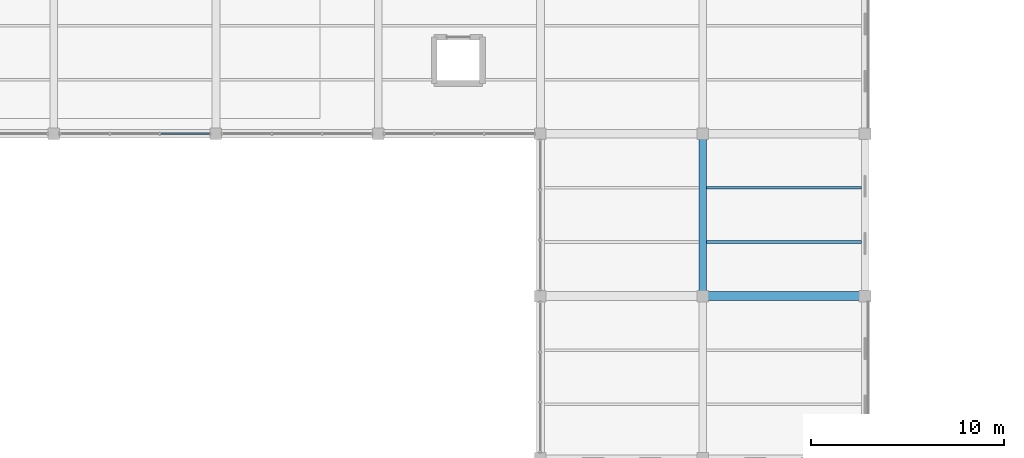
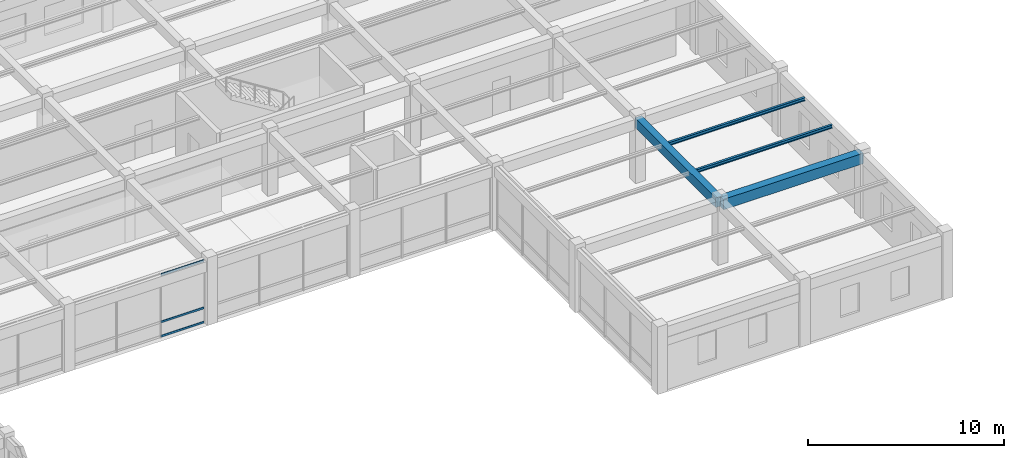
# One storey, part 16 of 114: 4 beams, 3 members, 1 element without a shape of its own.
"""IFC4 building model written with IfcOpenShell, lengths in metres."""

from ifc_helpers import new_model, si_unit, direction, frame, origin, origin_2d, place, context, subcontext, project, spatial, rectangle, hollow_rectangle, i_section, extrude, material, material_profile, profile_set, type_object, element, aggregate, save


model = new_model("IFC4")

# Units and contexts
model_context = context("Model", 3, precision=1e-05, world=origin(), true_north=direction((0.0, 1.0)))
body_context = subcontext(model_context, "Body", "Model", "MODEL_VIEW")
ifc_project = project(units=[si_unit("LENGTHUNIT", "METRE"), si_unit("AREAUNIT", "SQUARE_METRE"), si_unit("VOLUMEUNIT", "CUBIC_METRE"), si_unit("PLANEANGLEUNIT", "RADIAN"), si_unit("MASSUNIT", "GRAM", prefix="KILO"), si_unit("THERMODYNAMICTEMPERATUREUNIT", "KELVIN"), si_unit("POWERUNIT", "WATT")], contexts=[model_context])

# Site, building, storey
site_placement = place(None, origin())
site = spatial("IfcSite", under=ifc_project, at=site_placement, CompositionType="ELEMENT")
building_placement = place(site_placement, origin())
building = spatial("IfcBuilding", under=site, at=building_placement, Name="Darbajah Civic Hall", CompositionType="ELEMENT")
storey_placement = place(building_placement, frame((0.0, 0.0, 13.800048828125)))
storey = spatial("IfcBuildingStorey", under=building, at=storey_placement, Name="L03", CompositionType="ELEMENT", Elevation=13.800048828125)

# Curtain wall, members
ifc_material_1 = material(Name="Anodised Bronze Aluminium and Low-E Glazing", Category="aluminium")
curtain_wall_type = type_object("IfcCurtainWallType", Name="Unitised Curtain Wall CW-100 7800x3950", PredefinedType="USERDEFINED", material=ifc_material_1)
curtain_wall_placement = place(storey_placement, origin())
curtain_wall = element("IfcCurtainWall", 1, at=curtain_wall_placement, inside=storey, type_object=curtain_wall_type, Name="L03 unitised curtain wall CW-V5-L03-S2-B1", ObjectType="UNITISED CURTAIN WALL", PredefinedType="USERDEFINED")
ifc_material_2 = material(Name="Anodised Bronze Aluminium", Category="aluminium")
ifc_material_profile_1 = material_profile(ifc_material_2, hollow_rectangle(XDim=0.06005859375, YDim=0.1201171875, WallThickness=0.003173828125, at=origin_2d()), Name="ALU TRANSOM 60x120")
ifc_profile_set_1 = profile_set([ifc_material_profile_1], Name="Anodised Bronze Aluminium")
member_type = type_object("IfcMemberType", Name="ALU TRANSOM 60x120", PredefinedType="USERDEFINED", material=ifc_profile_set_1)
member_1_placement = place(storey_placement, frame((30.734375, 16.800048828125, 0.06005859375), z_axis=(1.0, 0.0, 0.0), x_axis=(0.0, 1.0, 0.0)))
member_1 = element("IfcMember", 2, at=member_1_placement, type_object=member_type, Name="CW-V5-L03-S2-B1 transom 3.1", ObjectType="TRANSOM", PredefinedType="USERDEFINED", context=body_context, shape_type="SweptSolid", body=[
    extrude(hollow_rectangle(XDim=0.06005859375, YDim=0.1201171875, WallThickness=0.003173828125, at=origin_2d()), origin(), (0.0, 0.0, 1.0), 2.528564453125),
])
member_2_placement = place(storey_placement, frame((30.734375, 16.800048828125, 0.949951171875), z_axis=(1.0, 0.0, 0.0), x_axis=(0.0, 1.0, 0.0)))
member_2 = element("IfcMember", 3, at=member_2_placement, type_object=member_type, Name="CW-V5-L03-S2-B1 transom 3.2", ObjectType="TRANSOM", PredefinedType="USERDEFINED", context=body_context, shape_type="SweptSolid", body=[
    extrude(hollow_rectangle(XDim=0.06005859375, YDim=0.1201171875, WallThickness=0.003173828125, at=origin_2d()), origin(), (0.0, 0.0, 1.0), 2.528564453125),
])
member_3_placement = place(storey_placement, frame((30.734375, 16.800048828125, 3.8798828125), z_axis=(1.0, 0.0, 0.0), x_axis=(0.0, 1.0, 0.0)))
member_3 = element("IfcMember", 4, at=member_3_placement, type_object=member_type, Name="CW-V5-L03-S2-B1 transom 3.3", ObjectType="TRANSOM", PredefinedType="USERDEFINED", context=body_context, shape_type="SweptSolid", body=[
    extrude(hollow_rectangle(XDim=0.06005859375, YDim=0.1201171875, WallThickness=0.003173828125, at=origin_2d()), origin(), (0.0, 0.0, 1.0), 2.528564453125),
])
aggregate(curtain_wall, [member_1, member_2, member_3])

# Beams
ifc_material_3 = material(Name="Concrete C45/55", Category="concrete")
ifc_material_profile_2 = material_profile(ifc_material_3, rectangle(XDim=0.39990234375, YDim=0.60009765625, at=origin_2d()), Name="RC BEAM 400x600")
ifc_profile_set_2 = profile_set([ifc_material_profile_2], Name="Concrete C45/55")
beam_type_1 = type_object("IfcBeamType", Name="RC BEAM 400x600", PredefinedType="BEAM", material=ifc_profile_set_2)
beam_1_placement = place(storey_placement, frame((58.800048828125, 8.47998046875, 3.639892578125), z_axis=(0.0, 1.0, 0.0), x_axis=(-1.0, 0.0, 0.0)))
element("IfcBeam", 5, at=beam_1_placement, inside=storey, type_object=beam_type_1, Name="L03 beam BM-4060", PredefinedType="BEAM", context=body_context, shape_type="SweptSolid", body=[
    extrude(rectangle(XDim=0.39990234375, YDim=0.60009765625, at=origin_2d()), origin(), (0.0, 0.0, 1.0), 8.239990234375),
])
ifc_material_profile_3 = material_profile(ifc_material_3, rectangle(XDim=0.449951171875, YDim=0.64990234375, at=origin_2d()), Name="RC BEAM 450x650")
ifc_profile_set_3 = profile_set([ifc_material_profile_3], Name="Concrete C45/55")
beam_type_2 = type_object("IfcBeamType", Name="RC BEAM 450x650", PredefinedType="BEAM", material=ifc_profile_set_3)
beam_2_placement = place(storey_placement, frame((58.8798828125, 8.39990234375, 3.614990234375), z_axis=(1.0, 0.0, 0.0), x_axis=(0.0, 1.0, 0.0)))
element("IfcBeam", 6, at=beam_2_placement, inside=storey, type_object=beam_type_2, Name="L03 beam BM-4565", PredefinedType="BEAM", context=body_context, shape_type="SweptSolid", body=[
    extrude(rectangle(XDim=0.449951171875, YDim=0.64990234375, at=origin_2d()), origin(), (0.0, 0.0, 1.0), 8.240234375),
])
ifc_material_4 = material(Name="Steel S355JR", Category="steel")
ifc_material_profile_4 = material_profile(ifc_material_4, i_section(OverallWidth=0.1337890625, OverallDepth=0.206787109375, WebThickness=0.00634765625, FlangeThickness=0.009521484375, FilletRadius=0.007568359375, at=origin_2d()), Name="UB 203x133x30")
ifc_profile_set_4 = profile_set([ifc_material_profile_4], Name="Steel S355JR")
beam_type_3 = type_object("IfcBeamType", Name="UB 203x133x30", PredefinedType="JOIST", material=ifc_profile_set_4)
for number, where, z_axis, x_axis, name in (
    (7, (59.0, 11.199951171875, 3.836669921875), (1.0, 0.0, 0.0), (0.0, 1.0, 0.0), "L03 beam SJ-203"),
    (8, (59.0, 14.0, 3.836669921875), (1.0, 0.0, 0.0), (0.0, 1.0, 0.0), "L03 beam SJ-203"),
):
    element("IfcBeam", number, at=place(storey_placement, frame(where, z_axis=z_axis, x_axis=x_axis)), inside=storey, type_object=beam_type_3, Name=name, PredefinedType="JOIST", context=body_context, shape_type="SweptSolid", body=[
        extrude(i_section(OverallWidth=0.1337890625, OverallDepth=0.206787109375, WebThickness=0.00634765625, FlangeThickness=0.009521484375, FilletRadius=0.007568359375, at=origin_2d()), origin(), (0.0, 0.0, 1.0), 8.02490234375),
    ])

save(model, "model.ifc")
